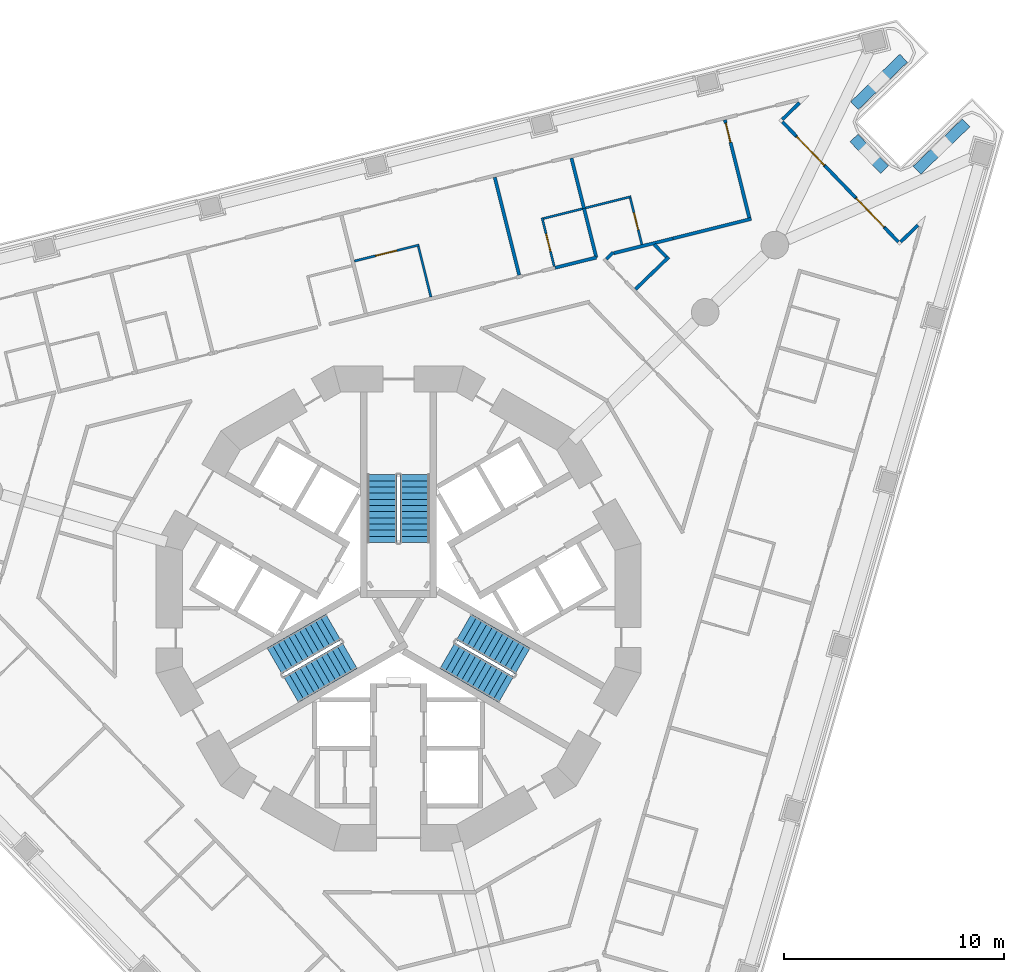
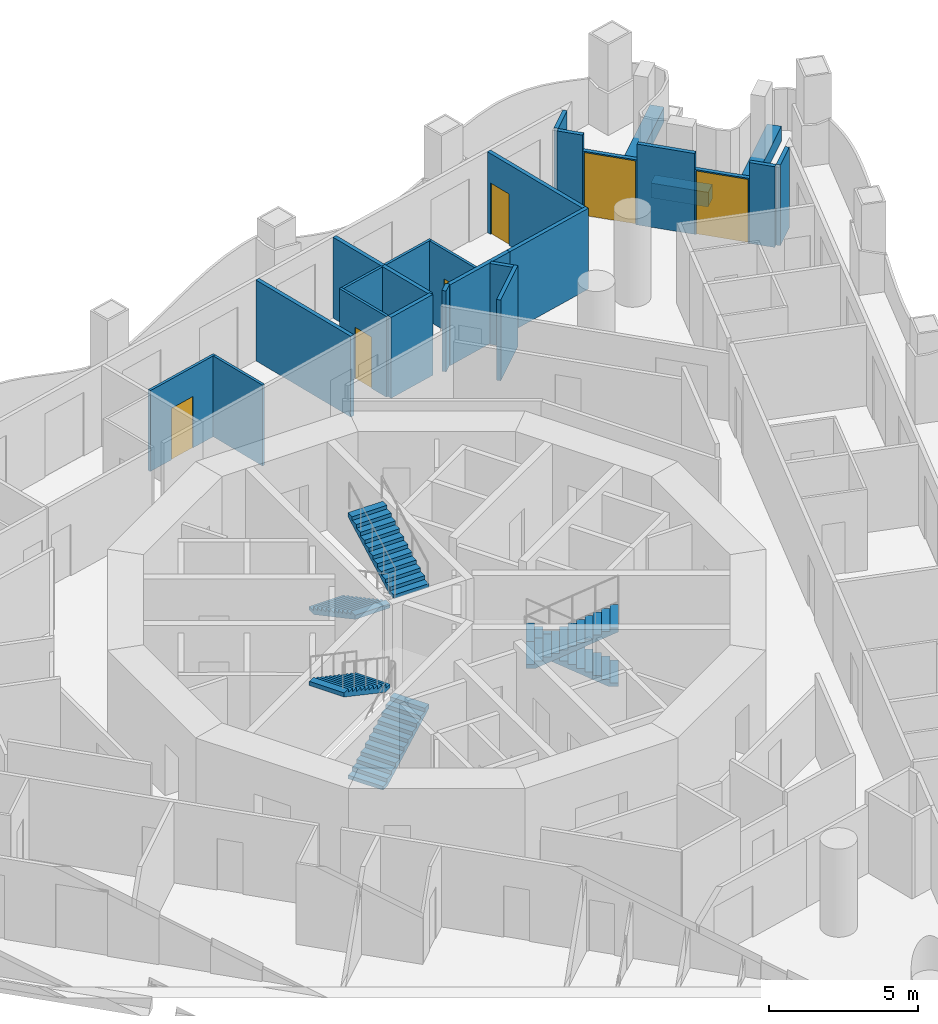
# One storey, part 10 of 18: 26 walls, 6 doors, 6 stair flights, 6 openings, 3 elements without a shape of their own.
"""IFC4 building model written with IfcOpenShell, lengths in metres."""

from ifc_helpers import new_model, si_unit, direction, frame, frame_2d, origin, place, context, subcontext, project, spatial, polyline, rectangle, outline, extrude, material, layer, layer_set, type_object, element, fill, aggregate, save


model = new_model("IFC4")

# Units and contexts
model_context = context("Model", 3, precision=1e-05, world=origin(), true_north=direction((0.0, 1.0)))
body_context = subcontext(model_context, "Body", "Model", "MODEL_VIEW")
ifc_project = project(units=[si_unit("LENGTHUNIT", "METRE"), si_unit("AREAUNIT", "SQUARE_METRE"), si_unit("VOLUMEUNIT", "CUBIC_METRE"), si_unit("PLANEANGLEUNIT", "RADIAN"), si_unit("MASSUNIT", "GRAM", prefix="KILO")], contexts=[model_context])

# Site, building, storey
site_placement = place(None, origin())
site = spatial("IfcSite", under=ifc_project, at=site_placement, CompositionType="ELEMENT")
building_placement = place(site_placement, origin())
building = spatial("IfcBuilding", under=site, at=building_placement, Name="Trine Commons Tower", CompositionType="ELEMENT")
storey_placement = place(building_placement, frame((0.0, 0.0, 94.5)))
storey = spatial("IfcBuildingStorey", under=building, at=storey_placement, Name="L23", CompositionType="ELEMENT", Elevation=94.5)

# Walls
ifc_material_1 = material(Name="Aluminium-framed insulated wall panel", Category="aluminium")
ifc_layer_1 = layer(ifc_material_1, 0.14990234375)
ifc_layer_set_1 = layer_set([ifc_layer_1], Name="Aluminium-framed insulated wall panel")
wall_type_1 = type_object("IfcWallType", Name="Glazed frame wall 150, EI 60", PredefinedType="SOLIDWALL", material=ifc_layer_set_1)
wall_1_placement = place(storey_placement, frame((98.3076171875, 85.552490234375, 0.0), z_axis=(0.0, 0.0, 1.0), x_axis=(-0.719251336278, -0.694749966004, 0.0)))
element("IfcWall", 1, at=wall_1_placement, inside=storey, type_object=wall_type_1, Name="Glazed frame wall R5", PredefinedType="SOLIDWALL", context=body_context, shape_type="SweptSolid", body=[
    extrude(outline(polyline([(0.1494140625, 0.074951171875), (0.1494140625, -0.074951171875), (1.235107421875, -0.074951171875), (1.235107421875, 0.074951171875), (0.1494140625, 0.074951171875)])), origin(), (0.0, 0.0, 1.0), 3.300048828125),
])
wall_2_placement = place(storey_placement, frame((97.3408203125, 84.66748046875, 0.0), z_axis=(0.0, 0.0, 1.0), x_axis=(0.694668587965, -0.719329933267, 0.0)))
element("IfcWall", 2, at=wall_2_placement, inside=storey, type_object=wall_type_1, Name="Glazed frame wall P2.1", PredefinedType="SOLIDWALL", context=body_context, shape_type="SweptSolid", body=[
    extrude(outline(polyline([(0.110107421875, -0.074951171875), (1.0, -0.074951171875), (1.0, 0.074951171875), (0.110107421875, 0.074951171875), (0.110107421875, -0.074951171875)])), origin(), (0.0, 0.0, 1.0), 3.300048828125),
])

# Wall, opening, door
wall_3_placement = place(storey_placement, frame((98.035400390625, 83.9482421875, 0.0), z_axis=(0.0, 0.0, 1.0), x_axis=(0.694665586762, -0.719332831566, 0.0)))
wall_3 = element("IfcWall", 3, at=wall_3_placement, inside=storey, type_object=wall_type_1, Name="Glazed frame wall P2.2", PredefinedType="SOLIDWALL", context=body_context, shape_type="SweptSolid", body=[
    extrude(outline(polyline([(0.0, -0.074951171875), (1.89990234375, -0.074951171875), (1.89990234375, 0.074951171875), (0.0, 0.074951171875), (0.0, -0.074951171875)])), origin(), (0.0, 0.0, 1.0), 2.64990234375),
])
opening_1_placement = place(wall_3_placement, frame((0.050048828125, 0.0, 0.0)))
opening_1 = element("IfcOpeningElement", 4, at=opening_1_placement, cuts=wall_3, Name="Opening BD-3P2-01", PredefinedType="OPENING", context=body_context, shape_type="SweptSolid", body=[
    extrude(rectangle(XDim=1.800048828125, YDim=2.60009765625, at=frame_2d((0.89990234375, 1.300048828125))), frame((0.0, 0.0849609375, 0.0), z_axis=(0.0, -1.0, 0.0), x_axis=(1.0, 0.0, 0.0)), (0.0, 0.0, 1.0), 0.169921875),
])
ifc_material_2 = material(Name="Anodised aluminium frame with double glazing", Category="aluminium")
door_type_1 = type_object("IfcDoorType", Name="Sliding loggia door 1800x2600", OperationType="SLIDING_TO_LEFT", PredefinedType="DOOR", material=ifc_material_2)
door_1_placement = place(opening_1_placement, origin())
door_1 = element("IfcDoor", 5, at=door_1_placement, inside=storey, type_object=door_type_1, Name="Loggia door P2 1", OperationType="SLIDING_TO_LEFT", OverallHeight=2.60009765625, OverallWidth=1.800048828125, PredefinedType="DOOR", context=body_context, shape_type="SweptSolid", body=[
    extrude(rectangle(XDim=1.800048828125, YDim=2.60009765625, at=frame_2d((0.89990234375, 1.300048828125))), frame((0.0, 0.02490234375, 0.0), z_axis=(0.0, -1.0, 0.0), x_axis=(1.0, 0.0, 0.0)), (0.0, 0.0, 1.0), 0.050048828125),
])
fill(opening_1, door_1)

# Wall
wall_4_placement = place(storey_placement, frame((99.35546875, 82.581298828125, 0.0), z_axis=(0.0, 0.0, 1.0), x_axis=(0.694668587965, -0.719329933267, 0.0)))
element("IfcWall", 6, at=wall_4_placement, inside=storey, type_object=wall_type_1, Name="Glazed frame wall P2.3", PredefinedType="SOLIDWALL", context=body_context, shape_type="SweptSolid", body=[
    extrude(outline(polyline([(0.0, -0.074951171875), (2.0, -0.074951171875), (2.0, 0.074951171875), (0.0, 0.074951171875), (0.0, -0.074951171875)])), origin(), (0.0, 0.0, 1.0), 3.300048828125),
])

# Wall, opening, door
wall_5_placement = place(storey_placement, frame((100.74462890625, 81.142822265625, 0.0), z_axis=(0.0, 0.0, 1.0), x_axis=(0.694599099672, -0.719397032753, 0.0)))
wall_5 = element("IfcWall", 7, at=wall_5_placement, inside=storey, type_object=wall_type_1, Name="Glazed frame wall P2.4", PredefinedType="SOLIDWALL", context=body_context, shape_type="SweptSolid", body=[
    extrude(outline(polyline([(0.0, -0.074951171875), (1.89990234375, -0.074951171875), (1.89990234375, 0.074951171875), (0.0, 0.074951171875), (0.0, -0.074951171875)])), origin(), (0.0, 0.0, 1.0), 2.64990234375),
])
opening_2_placement = place(wall_5_placement, frame((0.050048828125, 0.0, 0.0)))
opening_2 = element("IfcOpeningElement", 8, at=opening_2_placement, cuts=wall_5, Name="Opening BD-3P2-02", PredefinedType="OPENING", context=body_context, shape_type="SweptSolid", body=[
    extrude(rectangle(XDim=1.800048828125, YDim=2.60009765625, at=frame_2d((0.89990234375, 1.300048828125))), frame((0.0, 0.0849609375, 0.0), z_axis=(0.0, -1.0, 0.0), x_axis=(1.0, 0.0, 0.0)), (0.0, 0.0, 1.0), 0.169921875),
])
door_2_placement = place(opening_2_placement, origin())
door_2 = element("IfcDoor", 9, at=door_2_placement, inside=storey, type_object=door_type_1, Name="Loggia door P2 2", OperationType="SLIDING_TO_LEFT", OverallHeight=2.60009765625, OverallWidth=1.800048828125, PredefinedType="DOOR", context=body_context, shape_type="SweptSolid", body=[
    extrude(rectangle(XDim=1.800048828125, YDim=2.60009765625, at=frame_2d((0.89990234375, 1.300048828125))), frame((0.0, 0.02490234375, 0.0), z_axis=(0.0, -1.0, 0.0), x_axis=(1.0, 0.0, 0.0)), (0.0, 0.0, 1.0), 0.050048828125),
])
fill(opening_2, door_2)

# Walls
wall_6_placement = place(storey_placement, frame((102.064453125, 79.77587890625, 0.0), z_axis=(0.0, 0.0, 1.0), x_axis=(0.694794898962, -0.719207931252, 0.0)))
element("IfcWall", 10, at=wall_6_placement, inside=storey, type_object=wall_type_1, Name="Glazed frame wall P2.5", PredefinedType="SOLIDWALL", context=body_context, shape_type="SweptSolid", body=[
    extrude(outline(polyline([(0.889892578125, 0.074951171875), (0.0, 0.074951171875), (0.0, -0.074951171875), (0.889892578125, -0.074951171875), (0.889892578125, 0.074951171875)])), origin(), (0.0, 0.0, 1.0), 3.300048828125),
])
wall_7_placement = place(storey_placement, frame((102.709716796875, 79.0576171875, 0.0), z_axis=(0.0, 0.0, 1.0), x_axis=(0.719342032924, 0.694656058542, 0.0)))
element("IfcWall", 11, at=wall_7_placement, inside=storey, type_object=wall_type_1, Name="Glazed frame wall R7", PredefinedType="SOLIDWALL", context=body_context, shape_type="SweptSolid", body=[
    extrude(outline(polyline([(0.110107421875, 0.074951171875), (0.110107421875, -0.074951171875), (1.19580078125, -0.074951171875), (1.19580078125, 0.074951171875), (0.110107421875, 0.074951171875)])), origin(), (0.0, 0.0, 1.0), 3.300048828125),
])
ifc_material_3 = material(Name="Planter trough, precast concrete C40/50", Category="concrete")
ifc_layer_2 = layer(ifc_material_3, 0.5)
ifc_layer_set_2 = layer_set([ifc_layer_2], Name="Planter trough, precast concrete C40/50")
wall_type_2 = type_object("IfcWallType", Name="Planter trough 500x600", PredefinedType="PARAPET", material=ifc_layer_set_2)
wall_8_placement = place(storey_placement, frame((102.923828125, 87.47314453125, 0.0), z_axis=(0.0, 0.0, 1.0), x_axis=(-0.719324109218, -0.694674618723, 0.0)))
element("IfcWall", 12, at=wall_8_placement, inside=storey, type_object=wall_type_2, Name="Planter 4", PredefinedType="PARAPET", context=body_context, shape_type="SweptSolid", body=[
    extrude(rectangle(XDim=3.10009765625, YDim=0.5, at=frame_2d((1.550048828125, 0.0))), origin(), (0.0, 0.0, 1.0), 0.60009765625),
])
wall_9_placement = place(storey_placement, frame((100.668212890625, 83.84912109375, 0.0), z_axis=(0.0, 0.0, 1.0), x_axis=(0.694731751498, -0.719268929859, 0.0)))
element("IfcWall", 13, at=wall_9_placement, inside=storey, type_object=wall_type_2, Name="Planter 5", PredefinedType="PARAPET", context=body_context, shape_type="SweptSolid", body=[
    extrude(rectangle(XDim=2.0, YDim=0.5, at=frame_2d((1.0, 0.0))), origin(), (0.0, 0.0, 1.0), 0.60009765625),
])
wall_10_placement = place(storey_placement, frame((103.528076171875, 82.385009765625, 0.0), z_axis=(0.0, 0.0, 1.0), x_axis=(0.719363462475, 0.694633866765, 0.0)))
element("IfcWall", 14, at=wall_10_placement, inside=storey, type_object=wall_type_2, Name="Planter 6", PredefinedType="PARAPET", context=body_context, shape_type="SweptSolid", body=[
    extrude(rectangle(XDim=3.099853515625, YDim=0.5, at=frame_2d((1.5498046875, 0.0))), origin(), (0.0, 0.0, 1.0), 0.60009765625),
])
ifc_material_4 = material(Name="Gypsum plasterboard on steel stud", Category="steel")
ifc_layer_3 = layer(ifc_material_4, 0.14990234375)
ifc_layer_set_3 = layer_set([ifc_layer_3], Name="Gypsum plasterboard on steel stud")
wall_type_3 = type_object("IfcWallType", Name="Unit and corridor wall 150 mm, EI 60", PredefinedType="PARTITIONING", material=ifc_layer_set_3)
wall_11_placement = place(storey_placement, frame((84.36669921875, 82.066162109375, 0.0), z_axis=(0.0, 0.0, 1.0), x_axis=(0.241945064156, -0.970289949412, 0.0)))
element("IfcWall", 15, at=wall_11_placement, inside=storey, type_object=wall_type_3, Name="Partition 078", PredefinedType="PARTITIONING", context=body_context, shape_type="SweptSolid", body=[
    extrude(rectangle(XDim=4.572021484375, YDim=0.14990234375, at=frame_2d((2.2861328125, 0.0))), origin(), (0.0, 0.0, 1.0), 3.300048828125),
])
wall_12_placement = place(storey_placement, frame((87.10302734375, 77.958984375, 0.0), z_axis=(0.0, 0.0, 1.0), x_axis=(0.970439241323, 0.241345559105, 0.0)))
element("IfcWall", 16, at=wall_12_placement, inside=storey, type_object=wall_type_3, Name="Partition 082", PredefinedType="PARTITIONING", context=body_context, shape_type="SweptSolid", body=[
    extrude(rectangle(XDim=1.93115234375, YDim=0.14990234375, at=frame_2d((0.965576171875, 0.0))), origin(), (0.0, 0.0, 1.0), 3.300048828125),
])
wall_13_placement = place(storey_placement, frame((87.8486328125, 82.93408203125, 0.0), z_axis=(0.0, 0.0, 1.0), x_axis=(0.241776709291, -0.970331913751, 0.0)))
element("IfcWall", 17, at=wall_13_placement, inside=storey, type_object=wall_type_3, Name="Partition 089", PredefinedType="PARTITIONING", context=body_context, shape_type="SweptSolid", body=[
    extrude(rectangle(XDim=2.3466796875, YDim=0.14990234375, at=frame_2d((1.17333984375, 0.0))), origin(), (0.0, 0.0, 1.0), 3.300048828125),
])
wall_14_placement = place(storey_placement, frame((88.416015625, 80.656982421875, 0.0), z_axis=(0.0, 0.0, 1.0), x_axis=(0.242086100608, -0.97025477061, 0.0)))
element("IfcWall", 18, at=wall_14_placement, inside=storey, type_object=wall_type_3, Name="Partition 091", PredefinedType="PARTITIONING", context=body_context, shape_type="SweptSolid", body=[
    extrude(rectangle(XDim=2.30029296875, YDim=0.14990234375, at=frame_2d((1.150146484375, 0.0))), origin(), (0.0, 0.0, 1.0), 3.300048828125),
])
wall_15_placement = place(storey_placement, frame((89.431884765625, 78.354248046875, 0.0), z_axis=(0.0, 0.0, 1.0), x_axis=(0.71857486408, 0.695449613352, 0.0)))
element("IfcWall", 19, at=wall_15_placement, inside=storey, type_object=wall_type_3, Name="Partition 099", PredefinedType="PARTITIONING", context=body_context, shape_type="SweptSolid", body=[
    extrude(rectangle(XDim=0.432861328125, YDim=0.14990234375, at=frame_2d((0.21630859375, 0.0))), origin(), (0.0, 0.0, 1.0), 3.300048828125),
])
wall_16_placement = place(storey_placement, frame((89.76171875, 78.62109375, 0.0), z_axis=(0.0, 0.0, 1.0), x_axis=(0.970245917946, 0.242121578363, 0.0)))
element("IfcWall", 20, at=wall_16_placement, inside=storey, type_object=wall_type_3, Name="Partition 102", PredefinedType="PARTITIONING", context=body_context, shape_type="SweptSolid", body=[
    extrude(rectangle(XDim=2.77490234375, YDim=0.14990234375, at=frame_2d((1.387451171875, 0.0))), origin(), (0.0, 0.0, 1.0), 3.300048828125),
])
wall_17_placement = place(storey_placement, frame((90.751953125, 76.987060546875, 0.0), z_axis=(0.0, 0.0, 1.0), x_axis=(0.719152982376, 0.694851774079, 0.0)))
element("IfcWall", 21, at=wall_17_placement, inside=storey, type_object=wall_type_3, Name="Partition 106", PredefinedType="PARTITIONING", context=body_context, shape_type="SweptSolid", body=[
    extrude(rectangle(XDim=2.099609375, YDim=0.14990234375, at=frame_2d((1.0498046875, 0.0))), origin(), (0.0, 0.0, 1.0), 3.300048828125),
])
wall_18_placement = place(storey_placement, frame((91.608154296875, 79.01513671875, 0.0), z_axis=(0.0, 0.0, 1.0), x_axis=(0.694771305492, -0.71923072311, 0.0)))
element("IfcWall", 22, at=wall_18_placement, inside=storey, type_object=wall_type_3, Name="Partition 109", PredefinedType="PARTITIONING", context=body_context, shape_type="SweptSolid", body=[
    extrude(rectangle(XDim=0.78857421875, YDim=0.14990234375, at=frame_2d((0.394287109375, 0.0))), origin(), (0.0, 0.0, 1.0), 3.300048828125),
])
wall_19_placement = place(storey_placement, frame((92.4541015625, 79.29296875, 0.0), z_axis=(0.0, 0.0, 1.0), x_axis=(0.970299100739, 0.241908360967, 0.0)))
element("IfcWall", 23, at=wall_19_placement, inside=storey, type_object=wall_type_3, Name="Partition 113", PredefinedType="PARTITIONING", context=body_context, shape_type="SweptSolid", body=[
    extrude(rectangle(XDim=3.66357421875, YDim=0.14990234375, at=frame_2d((1.831787109375, 0.0))), origin(), (0.0, 0.0, 1.0), 3.300048828125),
])

# Wall, opening, door
wall_20_placement = place(storey_placement, frame((94.811767578125, 84.671142578125, 0.0), z_axis=(0.0, 0.0, 1.0), x_axis=(0.241894932299, -0.970302448584, 0.0)))
wall_20 = element("IfcWall", 24, at=wall_20_placement, inside=storey, type_object=wall_type_3, Name="Partition 118", PredefinedType="PARTITIONING", context=body_context, shape_type="SweptSolid", body=[
    extrude(rectangle(XDim=4.572998046875, YDim=0.14990234375, at=frame_2d((2.28662109375, 0.0))), origin(), (0.0, 0.0, 1.0), 3.300048828125),
])
opening_3_placement = place(wall_20_placement, frame((0.14990234375, 0.0, 0.0)))
opening_3 = element("IfcOpeningElement", 25, at=opening_3_placement, cuts=wall_20, Name="Opening D-3A14", PredefinedType="OPENING", context=body_context, shape_type="SweptSolid", body=[
    extrude(rectangle(XDim=0.89990234375, YDim=2.10009765625, at=frame_2d((0.449951171875, 1.050048828125))), frame((0.0, 0.0849609375, 0.0), z_axis=(0.0, -1.0, 0.0), x_axis=(1.0, 0.0, 0.0)), (0.0, 0.0, 1.0), 0.169921875),
])
ifc_material_5 = material(Name="Timber fire door set", Category="wood")
door_type_2 = type_object("IfcDoorType", Name="Bedroom door 900 x 2100, FD30S", OperationType="NOTDEFINED", PredefinedType="DOOR", material=ifc_material_5)
door_3_placement = place(opening_3_placement, frame((0.89990234375, 0.0, 0.0), z_axis=(0.0, 0.0, 1.0), x_axis=(-1.0, 0.0, 0.0)))
door_3 = element("IfcDoor", 26, at=door_3_placement, inside=storey, type_object=door_type_2, Name="Door D-3A14", OperationType="SINGLE_SWING_RIGHT", OverallHeight=2.10009765625, OverallWidth=0.89990234375, PredefinedType="DOOR", context=body_context, shape_type="SweptSolid", body=[
    extrude(rectangle(XDim=0.89990234375, YDim=2.10009765625, at=frame_2d((0.449951171875, 1.050048828125))), frame((0.0, 0.02490234375, 0.0), z_axis=(0.0, -1.0, 0.0), x_axis=(1.0, 0.0, 0.0)), (0.0, 0.0, 1.0), 0.050048828125),
])
fill(opening_3, door_3)

ifc_layer_4 = layer(ifc_material_4, 0.10009765625)
ifc_layer_set_4 = layer_set([ifc_layer_4], Name="Gypsum plasterboard on steel stud")
wall_type_4 = type_object("IfcWallType", Name="Unit partition 100 mm, no rating", PredefinedType="PARTITIONING", material=ifc_layer_set_4)
wall_21_placement = place(storey_placement, frame((77.995849609375, 78.26416015625, 0.0), z_axis=(0.0, 0.0, 1.0), x_axis=(0.970294209092, 0.24192798061, 0.0)))
wall_21 = element("IfcWall", 27, at=wall_21_placement, inside=storey, type_object=wall_type_4, Name="Partition 061", PredefinedType="PARTITIONING", context=body_context, shape_type="SweptSolid", body=[
    extrude(rectangle(XDim=3.025390625, YDim=0.10009765625, at=frame_2d((1.5126953125, 0.0))), origin(), (0.0, 0.0, 1.0), 3.300048828125),
])
opening_4_placement = place(wall_21_placement, frame((0.98779296875, 0.0, 0.0)))
opening_4 = element("IfcOpeningElement", 28, at=opening_4_placement, cuts=wall_21, Name="Opening D-3A41", PredefinedType="OPENING", context=body_context, shape_type="SweptSolid", body=[
    extrude(rectangle(XDim=1.0, YDim=2.10009765625, at=frame_2d((0.5, 1.050048828125))), frame((0.0, 0.06005859375, 0.0), z_axis=(0.0, -1.0, 0.0), x_axis=(1.0, 0.0, 0.0)), (0.0, 0.0, 1.0), 0.1201171875),
])
ifc_material_6 = material(Name="Painted timber", Category="wood")
door_type_3 = type_object("IfcDoorType", Name="Internal door 1000 x 2100, NOT RATED", OperationType="NOTDEFINED", PredefinedType="DOOR", material=ifc_material_6)
door_4_placement = place(opening_4_placement, origin())
door_4 = element("IfcDoor", 29, at=door_4_placement, inside=storey, type_object=door_type_3, Name="Door D-3A41", OperationType="SINGLE_SWING_LEFT", OverallHeight=2.10009765625, OverallWidth=1.0, PredefinedType="DOOR", context=body_context, shape_type="SweptSolid", body=[
    extrude(rectangle(XDim=1.0, YDim=2.10009765625, at=frame_2d((0.5, 1.050048828125))), frame((0.0, 0.02490234375, 0.0), z_axis=(0.0, -1.0, 0.0), x_axis=(1.0, 0.0, 0.0)), (0.0, 0.0, 1.0), 0.050048828125),
])
fill(opening_4, door_4)

# Wall
wall_22_placement = place(storey_placement, frame((80.89501953125, 78.935546875, 0.0), z_axis=(0.0, 0.0, 1.0), x_axis=(0.241664815679, -0.970359787328, 0.0)))
element("IfcWall", 30, at=wall_22_placement, inside=storey, type_object=wall_type_4, Name="Partition 068", PredefinedType="PARTITIONING", context=body_context, shape_type="SweptSolid", body=[
    extrude(rectangle(XDim=2.375, YDim=0.10009765625, at=frame_2d((1.1875, 0.0))), origin(), (0.0, 0.0, 1.0), 3.300048828125),
])

# Wall, opening, door
wall_23_placement = place(storey_placement, frame((86.511962890625, 80.2333984375, 0.0), z_axis=(0.0, 0.0, 1.0), x_axis=(0.242081128221, -0.970256011246, 0.0)))
wall_23 = element("IfcWall", 31, at=wall_23_placement, inside=storey, type_object=wall_type_4, Name="Partition 080", PredefinedType="PARTITIONING", context=body_context, shape_type="SweptSolid", body=[
    extrude(rectangle(XDim=2.275146484375, YDim=0.10009765625, at=frame_2d((1.1376953125, 0.0))), origin(), (0.0, 0.0, 1.0), 3.300048828125),
])
opening_5_placement = place(wall_23_placement, frame((0.7626953125, 0.0, 0.0)))
opening_5 = element("IfcOpeningElement", 32, at=opening_5_placement, cuts=wall_23, Name="Opening D-3A42", PredefinedType="OPENING", context=body_context, shape_type="SweptSolid", body=[
    extrude(rectangle(XDim=0.800048828125, YDim=2.10009765625, at=frame_2d((0.39990234375, 1.050048828125))), frame((0.0, 0.06005859375, 0.0), z_axis=(0.0, -1.0, 0.0), x_axis=(1.0, 0.0, 0.0)), (0.0, 0.0, 1.0), 0.1201171875),
])
door_type_4 = type_object("IfcDoorType", Name="Internal door 800 x 2100, NOT RATED", OperationType="NOTDEFINED", PredefinedType="DOOR", material=ifc_material_6)
door_5_placement = place(opening_5_placement, frame((0.800048828125, 0.0, 0.0), z_axis=(0.0, 0.0, 1.0), x_axis=(-1.0, 0.0, 0.0)))
door_5 = element("IfcDoor", 33, at=door_5_placement, inside=storey, type_object=door_type_4, Name="Door D-3A42", OperationType="SINGLE_SWING_LEFT", OverallHeight=2.10009765625, OverallWidth=0.800048828125, PredefinedType="DOOR", context=body_context, shape_type="SweptSolid", body=[
    extrude(rectangle(XDim=0.800048828125, YDim=2.10009765625, at=frame_2d((0.39990234375, 1.050048828125))), frame((0.0, 0.02490234375, 0.0), z_axis=(0.0, -1.0, 0.0), x_axis=(1.0, 0.0, 0.0)), (0.0, 0.0, 1.0), 0.050048828125),
])
fill(opening_5, door_5)

# Walls
wall_24_placement = place(storey_placement, frame((86.572509765625, 80.197021484375, 0.0), z_axis=(0.0, 0.0, 1.0), x_axis=(0.970244709708, 0.242126420043, 0.0)))
element("IfcWall", 34, at=wall_24_placement, inside=storey, type_object=wall_type_4, Name="Partition 081", PredefinedType="PARTITIONING", context=body_context, shape_type="SweptSolid", body=[
    extrude(rectangle(XDim=1.824951171875, YDim=0.10009765625, at=frame_2d((0.91259765625, 0.0))), origin(), (0.0, 0.0, 1.0), 3.300048828125),
])
wall_25_placement = place(storey_placement, frame((88.48876953125, 80.675048828125, 0.0), z_axis=(0.0, 0.0, 1.0), x_axis=(0.970311152165, 0.241860017334, 0.0)))
element("IfcWall", 35, at=wall_25_placement, inside=storey, type_object=wall_type_4, Name="Partition 092", PredefinedType="PARTITIONING", context=body_context, shape_type="SweptSolid", body=[
    extrude(rectangle(XDim=2.1259765625, YDim=0.10009765625, at=frame_2d((1.06298828125, 0.0))), origin(), (0.0, 0.0, 1.0), 3.300048828125),
])

# Wall, opening, door
wall_26_placement = place(storey_placement, frame((90.51513671875, 81.12841796875, 0.0), z_axis=(0.0, 0.0, 1.0), x_axis=(0.241769661622, -0.970333669786, 0.0)))
wall_26 = element("IfcWall", 36, at=wall_26_placement, inside=storey, type_object=wall_type_4, Name="Partition 105", PredefinedType="PARTITIONING", context=body_context, shape_type="SweptSolid", body=[
    extrude(rectangle(XDim=2.175048828125, YDim=0.10009765625, at=frame_2d((1.08740234375, 0.0))), origin(), (0.0, 0.0, 1.0), 3.300048828125),
])
opening_6_placement = place(wall_26_placement, frame((0.6875, 0.0, 0.0)))
opening_6 = element("IfcOpeningElement", 37, at=opening_6_placement, cuts=wall_26, Name="Opening D-3A43", PredefinedType="OPENING", context=body_context, shape_type="SweptSolid", body=[
    extrude(rectangle(XDim=0.800048828125, YDim=2.10009765625, at=frame_2d((0.39990234375, 1.050048828125))), frame((0.0, 0.06005859375, 0.0), z_axis=(0.0, -1.0, 0.0), x_axis=(1.0, 0.0, 0.0)), (0.0, 0.0, 1.0), 0.1201171875),
])
door_6_placement = place(opening_6_placement, origin())
door_6 = element("IfcDoor", 38, at=door_6_placement, inside=storey, type_object=door_type_4, Name="Door D-3A43", OperationType="SINGLE_SWING_RIGHT", OverallHeight=2.10009765625, OverallWidth=0.800048828125, PredefinedType="DOOR", context=body_context, shape_type="SweptSolid", body=[
    extrude(rectangle(XDim=0.800048828125, YDim=2.10009765625, at=frame_2d((0.39990234375, 1.050048828125))), frame((0.0, 0.02490234375, 0.0), z_axis=(0.0, -1.0, 0.0), x_axis=(1.0, 0.0, 0.0)), (0.0, 0.0, 1.0), 0.050048828125),
])
fill(opening_6, door_6)

# Stair, stair flights
ifc_material_7 = material(Name="Concrete C50/60", Category="concrete")
stair_type = type_object("IfcStairType", Name="Exit stair, dog-leg, 24 risers of 150 mm", PredefinedType="HALF_TURN_STAIR", material=ifc_material_7)
stair_1_placement = place(storey_placement, origin())
stair_1 = element("IfcStair", 39, at=stair_1_placement, inside=storey, type_object=stair_type, Name="L23 Exit stair ST1A", PredefinedType="HALF_TURN_STAIR")
stair_flight_type = type_object("IfcStairFlightType", Name="Stair flight, 1350 wide, 12 risers of 150 mm", PredefinedType="STRAIGHT", material=ifc_material_7)
stair_flight_1_placement = place(storey_placement, frame((79.25, 68.570556640625, 0.0), z_axis=(0.0, 0.0, 1.0), x_axis=(0.0, -1.0, 0.0)))
stair_flight_1 = element("IfcStairFlight", 40, at=stair_flight_1_placement, type_object=stair_flight_type, Name="ST1A flight 1", NumberOfRisers=12, NumberOfTreads=11, PredefinedType="STRAIGHT", RiserHeight=0.15, TreadLength=0.28, context=body_context, shape_type="SweptSolid", body=[
    extrude(outline(polyline([(0.0, 0.0), (0.0, 0.14990234375), (0.280029296875, 0.14990234375), (0.280029296875, 0.300048828125), (0.56005859375, 0.300048828125), (0.56005859375, 0.449951171875), (0.840087890625, 0.449951171875), (0.840087890625, 0.60009765625), (1.1201171875, 0.60009765625), (1.1201171875, 0.75), (1.39990234375, 0.75), (1.39990234375, 0.89990234375), (1.679931640625, 0.89990234375), (1.679931640625, 1.050048828125), (1.9599609375, 1.050048828125), (1.9599609375, 1.199951171875), (2.239990234375, 1.199951171875), (2.239990234375, 1.35009765625), (2.52001953125, 1.35009765625), (2.52001953125, 1.5), (2.800048828125, 1.5), (2.800048828125, 1.64990234375), (3.080078125, 1.64990234375), (3.080078125, 1.800048828125), (3.080078125, 1.47998046875), (0.3173828125, 0.0), (0.0, 0.0)])), frame((0.0, 0.675048828125, 0.0), z_axis=(0.0, -1.0, 0.0), x_axis=(1.0, 0.0, 0.0)), (0.0, 0.0, 1.0), 1.35009765625),
])
stair_flight_2_placement = place(storey_placement, frame((80.75, 65.490478515625, 1.800048828125), z_axis=(0.0, 0.0, 1.0), x_axis=(0.0, 1.0, 0.0)))
stair_flight_2 = element("IfcStairFlight", 41, at=stair_flight_2_placement, type_object=stair_flight_type, Name="ST1A flight 2", NumberOfRisers=12, NumberOfTreads=11, PredefinedType="STRAIGHT", RiserHeight=0.15, TreadLength=0.28, context=body_context, shape_type="SweptSolid", body=[
    extrude(outline(polyline([(0.0, 0.0), (0.0, 0.14990234375), (0.280029296875, 0.14990234375), (0.280029296875, 0.300048828125), (0.56005859375, 0.300048828125), (0.56005859375, 0.449951171875), (0.840087890625, 0.449951171875), (0.840087890625, 0.60009765625), (1.1201171875, 0.60009765625), (1.1201171875, 0.75), (1.39990234375, 0.75), (1.39990234375, 0.89990234375), (1.679931640625, 0.89990234375), (1.679931640625, 1.050048828125), (1.9599609375, 1.050048828125), (1.9599609375, 1.199951171875), (2.239990234375, 1.199951171875), (2.239990234375, 1.35009765625), (2.52001953125, 1.35009765625), (2.52001953125, 1.5), (2.800048828125, 1.5), (2.800048828125, 1.64990234375), (3.080078125, 1.64990234375), (3.080078125, 1.800048828125), (3.080078125, 1.47998046875), (0.3173828125, 0.0), (0.0, 0.0)])), frame((0.0, 0.675048828125, 0.0), z_axis=(0.0, -1.0, 0.0), x_axis=(1.0, 0.0, 0.0)), (0.0, 0.0, 1.0), 1.35009765625),
])
aggregate(stair_1, [stair_flight_1, stair_flight_2])

stair_2_placement = place(storey_placement, origin())
stair_2 = element("IfcStair", 42, at=stair_2_placement, inside=storey, type_object=stair_type, Name="L23 Exit stair ST2A", PredefinedType="HALF_TURN_STAIR")
stair_flight_3_placement = place(storey_placement, frame((75.11767578125, 58.815185546875, 0.0), z_axis=(0.0, 0.0, 1.0), x_axis=(0.866025403784, 0.5, 0.0)))
stair_flight_3 = element("IfcStairFlight", 43, at=stair_flight_3_placement, type_object=stair_flight_type, Name="ST2A flight 1", NumberOfRisers=12, NumberOfTreads=11, PredefinedType="STRAIGHT", RiserHeight=0.15, TreadLength=0.28, context=body_context, shape_type="SweptSolid", body=[
    extrude(outline(polyline([(0.0, 0.0), (0.0, 0.14990234375), (0.280029296875, 0.14990234375), (0.280029296875, 0.300048828125), (0.56005859375, 0.300048828125), (0.56005859375, 0.449951171875), (0.840087890625, 0.449951171875), (0.840087890625, 0.60009765625), (1.1201171875, 0.60009765625), (1.1201171875, 0.75), (1.39990234375, 0.75), (1.39990234375, 0.89990234375), (1.679931640625, 0.89990234375), (1.679931640625, 1.050048828125), (1.9599609375, 1.050048828125), (1.9599609375, 1.199951171875), (2.239990234375, 1.199951171875), (2.239990234375, 1.35009765625), (2.52001953125, 1.35009765625), (2.52001953125, 1.5), (2.800048828125, 1.5), (2.800048828125, 1.64990234375), (3.080078125, 1.64990234375), (3.080078125, 1.800048828125), (3.080078125, 1.47998046875), (0.3173828125, 0.0), (0.0, 0.0)])), frame((0.0, 0.675048828125, 0.0), z_axis=(0.0, -1.0, 0.0), x_axis=(1.0, 0.0, 0.0)), (0.0, 0.0, 1.0), 1.35009765625),
])
stair_flight_4_placement = place(storey_placement, frame((77.03515625, 61.654296875, 1.800048828125), z_axis=(0.0, 0.0, 1.0), x_axis=(-0.866025403784, -0.5, 0.0)))
stair_flight_4 = element("IfcStairFlight", 44, at=stair_flight_4_placement, type_object=stair_flight_type, Name="ST2A flight 2", NumberOfRisers=12, NumberOfTreads=11, PredefinedType="STRAIGHT", RiserHeight=0.15, TreadLength=0.28, context=body_context, shape_type="SweptSolid", body=[
    extrude(outline(polyline([(0.0, 0.0), (0.0, 0.14990234375), (0.280029296875, 0.14990234375), (0.280029296875, 0.300048828125), (0.56005859375, 0.300048828125), (0.56005859375, 0.449951171875), (0.840087890625, 0.449951171875), (0.840087890625, 0.60009765625), (1.1201171875, 0.60009765625), (1.1201171875, 0.75), (1.39990234375, 0.75), (1.39990234375, 0.89990234375), (1.679931640625, 0.89990234375), (1.679931640625, 1.050048828125), (1.9599609375, 1.050048828125), (1.9599609375, 1.199951171875), (2.239990234375, 1.199951171875), (2.239990234375, 1.35009765625), (2.52001953125, 1.35009765625), (2.52001953125, 1.5), (2.800048828125, 1.5), (2.800048828125, 1.64990234375), (3.080078125, 1.64990234375), (3.080078125, 1.800048828125), (3.080078125, 1.47998046875), (0.3173828125, 0.0), (0.0, 0.0)])), frame((0.0, 0.675048828125, 0.0), z_axis=(0.0, -1.0, 0.0), x_axis=(1.0, 0.0, 0.0)), (0.0, 0.0, 1.0), 1.35009765625),
])
aggregate(stair_2, [stair_flight_3, stair_flight_4])

stair_3_placement = place(storey_placement, origin())
stair_3 = element("IfcStair", 45, at=stair_3_placement, inside=storey, type_object=stair_type, Name="L23 Exit stair ST3A", PredefinedType="HALF_TURN_STAIR")
stair_flight_5_placement = place(storey_placement, frame((85.63232421875, 60.1142578125, 0.0), z_axis=(0.0, 0.0, 1.0), x_axis=(-0.866025403784, 0.5, 0.0)))
stair_flight_5 = element("IfcStairFlight", 46, at=stair_flight_5_placement, type_object=stair_flight_type, Name="ST3A flight 1", NumberOfRisers=12, NumberOfTreads=11, PredefinedType="STRAIGHT", RiserHeight=0.15, TreadLength=0.28, context=body_context, shape_type="SweptSolid", body=[
    extrude(outline(polyline([(0.0, 0.0), (0.0, 0.14990234375), (0.280029296875, 0.14990234375), (0.280029296875, 0.300048828125), (0.56005859375, 0.300048828125), (0.56005859375, 0.449951171875), (0.840087890625, 0.449951171875), (0.840087890625, 0.60009765625), (1.1201171875, 0.60009765625), (1.1201171875, 0.75), (1.39990234375, 0.75), (1.39990234375, 0.89990234375), (1.679931640625, 0.89990234375), (1.679931640625, 1.050048828125), (1.9599609375, 1.050048828125), (1.9599609375, 1.199951171875), (2.239990234375, 1.199951171875), (2.239990234375, 1.35009765625), (2.52001953125, 1.35009765625), (2.52001953125, 1.5), (2.800048828125, 1.5), (2.800048828125, 1.64990234375), (3.080078125, 1.64990234375), (3.080078125, 1.800048828125), (3.080078125, 1.47998046875), (0.3173828125, 0.0), (0.0, 0.0)])), frame((0.0, 0.675048828125, 0.0), z_axis=(0.0, -1.0, 0.0), x_axis=(1.0, 0.0, 0.0)), (0.0, 0.0, 1.0), 1.35009765625),
])
stair_flight_6_placement = place(storey_placement, frame((82.21484375, 60.355224609375, 1.800048828125), z_axis=(0.0, 0.0, 1.0), x_axis=(0.866025403784, -0.5, 0.0)))
stair_flight_6 = element("IfcStairFlight", 47, at=stair_flight_6_placement, type_object=stair_flight_type, Name="ST3A flight 2", NumberOfRisers=12, NumberOfTreads=11, PredefinedType="STRAIGHT", RiserHeight=0.15, TreadLength=0.28, context=body_context, shape_type="SweptSolid", body=[
    extrude(outline(polyline([(0.0, 0.0), (0.0, 0.14990234375), (0.280029296875, 0.14990234375), (0.280029296875, 0.300048828125), (0.56005859375, 0.300048828125), (0.56005859375, 0.449951171875), (0.840087890625, 0.449951171875), (0.840087890625, 0.60009765625), (1.1201171875, 0.60009765625), (1.1201171875, 0.75), (1.39990234375, 0.75), (1.39990234375, 0.89990234375), (1.679931640625, 0.89990234375), (1.679931640625, 1.050048828125), (1.9599609375, 1.050048828125), (1.9599609375, 1.199951171875), (2.239990234375, 1.199951171875), (2.239990234375, 1.35009765625), (2.52001953125, 1.35009765625), (2.52001953125, 1.5), (2.800048828125, 1.5), (2.800048828125, 1.64990234375), (3.080078125, 1.64990234375), (3.080078125, 1.800048828125), (3.080078125, 1.47998046875), (0.3173828125, 0.0), (0.0, 0.0)])), frame((0.0, 0.675048828125, 0.0), z_axis=(0.0, -1.0, 0.0), x_axis=(1.0, 0.0, 0.0)), (0.0, 0.0, 1.0), 1.35009765625),
])
aggregate(stair_3, [stair_flight_5, stair_flight_6])

save(model, "model.ifc")
